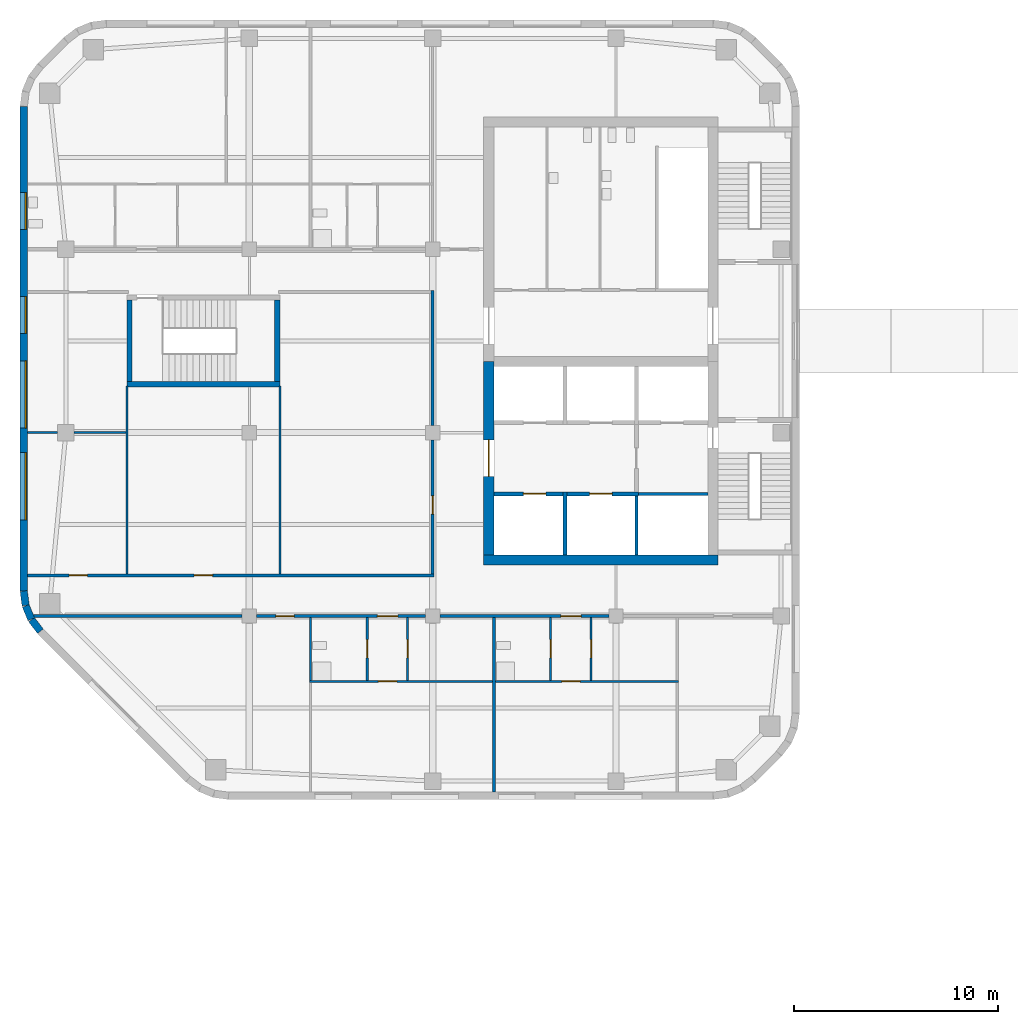
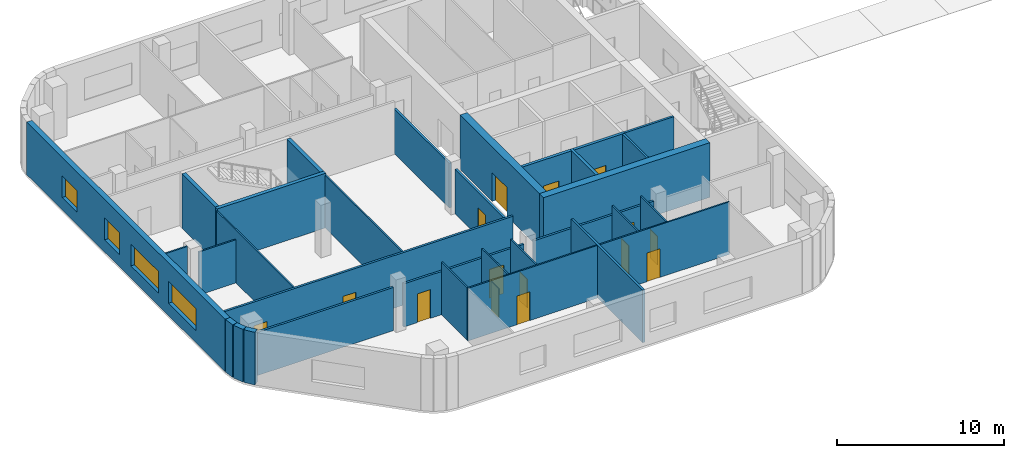
# One storey, part 5 of 15: 32 walls, 15 doors, 4 windows, 19 openings.
"""IFC4 building model written with IfcOpenShell, lengths in metres."""

from ifc_helpers import new_model, si_unit, direction, frame, frame_2d, origin, place, context, subcontext, project, spatial, rectangle, extrude, material, layer, layer_set, type_object, element, fill, save


model = new_model("IFC4")

# Units and contexts
model_context = context("Model", 3, precision=1e-05, world=origin(), true_north=direction((0.0, 1.0)))
body_context = subcontext(model_context, "Body", "Model", "MODEL_VIEW")
ifc_project = project(units=[si_unit("LENGTHUNIT", "METRE"), si_unit("AREAUNIT", "SQUARE_METRE"), si_unit("VOLUMEUNIT", "CUBIC_METRE"), si_unit("PLANEANGLEUNIT", "RADIAN"), si_unit("MASSUNIT", "GRAM", prefix="KILO")], contexts=[model_context])

# Site, building, storey
site_placement = place(None, origin())
site = spatial("IfcSite", under=ifc_project, at=site_placement, CompositionType="ELEMENT")
building_placement = place(site_placement, origin())
building = spatial("IfcBuilding", under=site, at=building_placement, Name="Cinnabar Reach Civic Tower", CompositionType="ELEMENT")
storey_placement = place(building_placement, frame((0.0, 0.0, 75.0)))
storey = spatial("IfcBuildingStorey", under=building, at=storey_placement, Name="L17", CompositionType="ELEMENT", Elevation=75.0)

# Walls
ifc_material_1 = material(Name="Facing brick with insulated backing", Category="masonry")
ifc_layer_1 = layer(ifc_material_1, 0.36)
ifc_layer_set_1 = layer_set([ifc_layer_1], Name="Brick corner wall")
wall_type_1 = type_object("IfcWallType", Name="Brick corner wall", PredefinedType="STANDARD", material=ifc_layer_set_1)
for number, where, z_axis, x_axis, name in (
    (1, (-65.067, 19.2314, 0.0), (0.0, 0.0, 1.0), (0.13055608231, -0.99144092581, 0.0), "Brick corner wall"),
    (2, (-64.9681, 18.5027, 0.0), (0.0, 0.0, 1.0), (0.382702709855, -0.923871547278, 0.0), "Brick corner wall"),
):
    element("IfcWall", number, at=place(storey_placement, frame(where, z_axis=z_axis, x_axis=x_axis)), inside=storey, type_object=wall_type_1, Name=name, PredefinedType="STANDARD", context=body_context, shape_type="SweptSolid", body=[
        extrude(rectangle(XDim=0.7131, YDim=0.36, at=frame_2d((0.3565, 0.0))), origin(), (0.0, 0.0, 1.0), 3.85),
    ])
wall_1_placement = place(storey_placement, frame((-64.684, 17.8245, 0.0), z_axis=(0.0, 0.0, 1.0), x_axis=(0.608802368033, -0.793321924995, 0.0)))
element("IfcWall", 3, at=wall_1_placement, inside=storey, type_object=wall_type_1, Name="Brick corner wall", PredefinedType="STANDARD", context=body_context, shape_type="SweptSolid", body=[
    extrude(rectangle(XDim=0.7132, YDim=0.36, at=frame_2d((0.3566, 0.0))), origin(), (0.0, 0.0, 1.0), 3.85),
])

# Wall, openings, windows
ifc_layer_2 = layer(ifc_material_1, 0.36)
ifc_layer_set_2 = layer_set([ifc_layer_2], Name="Brick pier and spandrel wall")
wall_type_2 = type_object("IfcWallType", Name="Brick pier and spandrel wall", PredefinedType="STANDARD", material=ifc_layer_set_2)
wall_2_placement = place(storey_placement, frame((-65.07, 43.0074, 0.0), z_axis=(0.0, 0.0, 1.0), x_axis=(0.0, -1.0, 0.0)))
wall_2 = element("IfcWall", 4, at=wall_2_placement, inside=storey, type_object=wall_type_2, Name="Brick facade wall", PredefinedType="STANDARD", context=body_context, shape_type="SweptSolid", body=[
    extrude(rectangle(XDim=23.7648, YDim=0.36, at=frame_2d((11.8824, 0.0))), origin(), (0.0, 0.0, 1.0), 3.85),
])
opening_1_placement = place(wall_2_placement, frame((4.2324, 0.0, 0.9)))
opening_1 = element("IfcOpeningElement", 5, at=opening_1_placement, cuts=wall_2, Name="Opening W2581", PredefinedType="OPENING", context=body_context, shape_type="SweptSolid", body=[
    extrude(rectangle(XDim=1.8, YDim=1.6, at=frame_2d((0.9, 0.8))), frame((0.0, 0.19, 0.0), z_axis=(0.0, -1.0, 0.0), x_axis=(1.0, 0.0, 0.0)), (0.0, 0.0, 1.0), 0.38),
])
opening_2_placement = place(wall_2_placement, frame((9.3324, 0.0, 0.9)))
opening_2 = element("IfcOpeningElement", 6, at=opening_2_placement, cuts=wall_2, Name="Opening W2582", PredefinedType="OPENING", context=body_context, shape_type="SweptSolid", body=[
    extrude(rectangle(XDim=1.8, YDim=1.6, at=frame_2d((0.9, 0.8))), frame((0.0, 0.19, 0.0), z_axis=(0.0, -1.0, 0.0), x_axis=(1.0, 0.0, 0.0)), (0.0, 0.0, 1.0), 0.38),
])
opening_3_placement = place(wall_2_placement, frame((12.4824, 0.0, 0.9)))
opening_3 = element("IfcOpeningElement", 7, at=opening_3_placement, cuts=wall_2, Name="Opening W2583", PredefinedType="OPENING", context=body_context, shape_type="SweptSolid", body=[
    extrude(rectangle(XDim=3.3, YDim=1.6, at=frame_2d((1.65, 0.8))), frame((0.0, 0.19, 0.0), z_axis=(0.0, -1.0, 0.0), x_axis=(1.0, 0.0, 0.0)), (0.0, 0.0, 1.0), 0.38),
])
opening_4_placement = place(wall_2_placement, frame((16.9824, 0.0, 0.9)))
opening_4 = element("IfcOpeningElement", 8, at=opening_4_placement, cuts=wall_2, Name="Opening W2584", PredefinedType="OPENING", context=body_context, shape_type="SweptSolid", body=[
    extrude(rectangle(XDim=3.3, YDim=1.6, at=frame_2d((1.65, 0.8))), frame((0.0, 0.19, 0.0), z_axis=(0.0, -1.0, 0.0), x_axis=(1.0, 0.0, 0.0)), (0.0, 0.0, 1.0), 0.38),
])
ifc_material_2 = material(Name="Clear double glazing in aluminium frame", Category="aluminium")
window_type_1 = type_object("IfcWindowType", Name="Deep-set window A", PartitioningType="SINGLE_PANEL", PredefinedType="WINDOW", material=ifc_material_2)
window_1_placement = place(opening_3_placement, origin())
window_1 = element("IfcWindow", 9, at=window_1_placement, inside=storey, type_object=window_type_1, Name="Window west face", OverallHeight=1.6, OverallWidth=3.3, PartitioningType="SINGLE_PANEL", PredefinedType="WINDOW", context=body_context, shape_type="SweptSolid", body=[
    extrude(rectangle(XDim=3.3, YDim=1.6, at=frame_2d((1.65, 0.8))), frame((0.0, 0.13, 0.0), z_axis=(0.0, -1.0, 0.0), x_axis=(1.0, 0.0, 0.0)), (0.0, 0.0, 1.0), 0.06),
])
fill(opening_3, window_1)
window_2_placement = place(opening_4_placement, origin())
window_2 = element("IfcWindow", 10, at=window_2_placement, inside=storey, type_object=window_type_1, Name="Window west face", OverallHeight=1.6, OverallWidth=3.3, PartitioningType="SINGLE_PANEL", PredefinedType="WINDOW", context=body_context, shape_type="SweptSolid", body=[
    extrude(rectangle(XDim=3.3, YDim=1.6, at=frame_2d((1.65, 0.8))), frame((0.0, 0.13, 0.0), z_axis=(0.0, -1.0, 0.0), x_axis=(1.0, 0.0, 0.0)), (0.0, 0.0, 1.0), 0.06),
])
fill(opening_4, window_2)
window_type_2 = type_object("IfcWindowType", Name="Deep-set window D", PartitioningType="SINGLE_PANEL", PredefinedType="WINDOW", material=ifc_material_2)
window_3_placement = place(opening_1_placement, origin())
window_3 = element("IfcWindow", 11, at=window_3_placement, inside=storey, type_object=window_type_2, Name="Window west face", OverallHeight=1.6, OverallWidth=1.8, PartitioningType="SINGLE_PANEL", PredefinedType="WINDOW", context=body_context, shape_type="SweptSolid", body=[
    extrude(rectangle(XDim=1.8, YDim=1.6, at=frame_2d((0.9, 0.8))), frame((0.0, 0.13, 0.0), z_axis=(0.0, -1.0, 0.0), x_axis=(1.0, 0.0, 0.0)), (0.0, 0.0, 1.0), 0.06),
])
fill(opening_1, window_3)
window_4_placement = place(opening_2_placement, origin())
window_4 = element("IfcWindow", 12, at=window_4_placement, inside=storey, type_object=window_type_2, Name="Window west face", OverallHeight=1.6, OverallWidth=1.8, PartitioningType="SINGLE_PANEL", PredefinedType="WINDOW", context=body_context, shape_type="SweptSolid", body=[
    extrude(rectangle(XDim=1.8, YDim=1.6, at=frame_2d((0.9, 0.8))), frame((0.0, 0.13, 0.0), z_axis=(0.0, -1.0, 0.0), x_axis=(1.0, 0.0, 0.0)), (0.0, 0.0, 1.0), 0.06),
])
fill(opening_2, window_4)

# Wall
ifc_material_3 = material(Name="Concrete C60", Category="concrete")
ifc_layer_3 = layer(ifc_material_3, 0.5)
ifc_layer_set_3 = layer_set([ifc_layer_3], Name="Core wall 500 EI 180")
wall_type_3 = type_object("IfcWallType", Name="Core wall 500 EI 180", PredefinedType="SOLIDWALL", material=ifc_layer_set_3)
wall_3_placement = place(storey_placement, frame((-42.5, 20.75, 0.0), z_axis=(0.0, 0.0, 1.0), x_axis=(1.0, 0.0, 0.0)))
element("IfcWall", 13, at=wall_3_placement, inside=storey, type_object=wall_type_3, Name="Core wall T2 L17 S", PredefinedType="SOLIDWALL", context=body_context, shape_type="SweptSolid", body=[
    extrude(rectangle(XDim=11.5, YDim=0.5, at=frame_2d((5.75, 0.0))), origin(), (0.0, 0.0, 1.0), 4.0),
])

# Wall, opening, door
wall_4_placement = place(storey_placement, frame((-42.25, 30.5, 0.0), z_axis=(0.0, 0.0, 1.0), x_axis=(0.0, -1.0, 0.0)))
wall_4 = element("IfcWall", 14, at=wall_4_placement, inside=storey, type_object=wall_type_3, Name="Core wall T2 L17 W2", PredefinedType="SOLIDWALL", context=body_context, shape_type="SweptSolid", body=[
    extrude(rectangle(XDim=9.5, YDim=0.5, at=frame_2d((4.75, 0.0))), origin(), (0.0, 0.0, 1.0), 4.0),
])
opening_5_placement = place(wall_4_placement, frame((3.85, 0.0, 0.0)))
opening_5 = element("IfcOpeningElement", 15, at=opening_5_placement, cuts=wall_4, Name="Opening D6636", PredefinedType="OPENING", context=body_context, shape_type="SweptSolid", body=[
    extrude(rectangle(XDim=1.8, YDim=2.1, at=frame_2d((0.9, 1.05))), frame((0.0, 0.26, 0.0), z_axis=(0.0, -1.0, 0.0), x_axis=(1.0, 0.0, 0.0)), (0.0, 0.0, 1.0), 0.52),
])
ifc_material_4 = material(Name="Steel fire door", Category="steel")
door_type_1 = type_object("IfcDoorType", Name="T2 Double door 1800", OperationType="DOUBLE_DOOR_SINGLE_SWING", PredefinedType="DOOR", material=ifc_material_4)
door_1_placement = place(opening_5_placement, origin())
door_1 = element("IfcDoor", 16, at=door_1_placement, inside=storey, type_object=door_type_1, Name="T2 Double door D6636", OperationType="DOUBLE_DOOR_SINGLE_SWING", OverallHeight=2.1, OverallWidth=1.8, PredefinedType="DOOR", context=body_context, shape_type="SweptSolid", body=[
    extrude(rectangle(XDim=1.8, YDim=2.1, at=frame_2d((0.9, 1.05))), frame((0.0, 0.025, 0.0), z_axis=(0.0, -1.0, 0.0), x_axis=(1.0, 0.0, 0.0)), (0.0, 0.0, 1.0), 0.05),
])
fill(opening_5, door_1)

ifc_material_5 = material(Name="Gypsum board on steel studs, double layer", Category="steel")
ifc_layer_4 = layer(ifc_material_5, 0.15)
ifc_layer_set_4 = layer_set([ifc_layer_4], Name="Corridor wall 150 T2")
wall_type_4 = type_object("IfcWallType", Name="Corridor wall 150 T2", PredefinedType="PARTITIONING", material=ifc_layer_set_4)
wall_5_placement = place(storey_placement, frame((-44.65, 18.0, 0.0), z_axis=(0.0, 0.0, 1.0), x_axis=(1.0, 0.0, 0.0)))
wall_5 = element("IfcWall", 17, at=wall_5_placement, inside=storey, type_object=wall_type_4, Name="Corridor wall 2", PredefinedType="PARTITIONING", context=body_context, shape_type="SweptSolid", body=[
    extrude(rectangle(XDim=8.3, YDim=0.15, at=frame_2d((4.15, 0.0))), origin(), (0.0, 0.0, 1.0), 3.158),
])
opening_6_placement = place(wall_5_placement, frame((5.94, 0.0, 0.0)))
opening_6 = element("IfcOpeningElement", 18, at=opening_6_placement, cuts=wall_5, Name="Opening D6650", PredefinedType="OPENING", context=body_context, shape_type="SweptSolid", body=[
    extrude(rectangle(XDim=1.0, YDim=2.1, at=frame_2d((0.5, 1.05))), frame((0.0, 0.085, 0.0), z_axis=(0.0, -1.0, 0.0), x_axis=(1.0, 0.0, 0.0)), (0.0, 0.0, 1.0), 0.17),
])
ifc_material_6 = material(Name="Timber door leaf in steel frame", Category="steel")
door_type_2 = type_object("IfcDoorType", Name="Tenancy entrance door 1000 x 2100 T2", OperationType="SINGLE_SWING_LEFT", PredefinedType="DOOR", material=ifc_material_6)
door_2_placement = place(opening_6_placement, frame((1.0, 0.0, 0.0), z_axis=(0.0, 0.0, 1.0), x_axis=(-1.0, 0.0, 0.0)))
door_2 = element("IfcDoor", 19, at=door_2_placement, inside=storey, type_object=door_type_2, Name="Door D6650", OperationType="SINGLE_SWING_LEFT", OverallHeight=2.1, OverallWidth=1.0, PredefinedType="DOOR", context=body_context, shape_type="SweptSolid", body=[
    extrude(rectangle(XDim=1.0, YDim=2.1, at=frame_2d((0.5, 1.05))), frame((0.0, 0.025, 0.0), z_axis=(0.0, -1.0, 0.0), x_axis=(1.0, 0.0, 0.0)), (0.0, 0.0, 1.0), 0.05),
])
fill(opening_6, door_2)

# Wall, openings, doors
wall_6_placement = place(storey_placement, frame((-53.65, 18.0, 0.0), z_axis=(0.0, 0.0, 1.0), x_axis=(1.0, 0.0, 0.0)))
wall_6 = element("IfcWall", 20, at=wall_6_placement, inside=storey, type_object=wall_type_4, Name="Corridor wall 3", PredefinedType="PARTITIONING", context=body_context, shape_type="SweptSolid", body=[
    extrude(rectangle(XDim=8.3, YDim=0.15, at=frame_2d((4.15, 0.0))), origin(), (0.0, 0.0, 1.0), 3.158),
])
opening_7_placement = place(wall_6_placement, frame((0.95, 0.0, 0.0)))
opening_7 = element("IfcOpeningElement", 21, at=opening_7_placement, cuts=wall_6, Name="Opening D6642", PredefinedType="OPENING", context=body_context, shape_type="SweptSolid", body=[
    extrude(rectangle(XDim=0.9, YDim=2.1, at=frame_2d((0.45, 1.05))), frame((0.0, 0.085, 0.0), z_axis=(0.0, -1.0, 0.0), x_axis=(1.0, 0.0, 0.0)), (0.0, 0.0, 1.0), 0.17),
])
opening_8_placement = place(wall_6_placement, frame((5.94, 0.0, 0.0)))
opening_8 = element("IfcOpeningElement", 22, at=opening_8_placement, cuts=wall_6, Name="Opening D6646", PredefinedType="OPENING", context=body_context, shape_type="SweptSolid", body=[
    extrude(rectangle(XDim=1.0, YDim=2.1, at=frame_2d((0.5, 1.05))), frame((0.0, 0.085, 0.0), z_axis=(0.0, -1.0, 0.0), x_axis=(1.0, 0.0, 0.0)), (0.0, 0.0, 1.0), 0.17),
])
door_type_3 = type_object("IfcDoorType", Name="Single swing door 900 x 2100 T2", OperationType="SINGLE_SWING_LEFT", PredefinedType="DOOR", material=ifc_material_6)
door_3_placement = place(opening_7_placement, frame((0.9, 0.0, 0.0), z_axis=(0.0, 0.0, 1.0), x_axis=(-1.0, 0.0, 0.0)))
door_3 = element("IfcDoor", 23, at=door_3_placement, inside=storey, type_object=door_type_3, Name="Door D6642", OperationType="SINGLE_SWING_LEFT", OverallHeight=2.1, OverallWidth=0.9, PredefinedType="DOOR", context=body_context, shape_type="SweptSolid", body=[
    extrude(rectangle(XDim=0.9, YDim=2.1, at=frame_2d((0.45, 1.05))), frame((0.0, 0.025, 0.0), z_axis=(0.0, -1.0, 0.0), x_axis=(1.0, 0.0, 0.0)), (0.0, 0.0, 1.0), 0.05),
])
fill(opening_7, door_3)
door_4_placement = place(opening_8_placement, frame((1.0, 0.0, 0.0), z_axis=(0.0, 0.0, 1.0), x_axis=(-1.0, 0.0, 0.0)))
door_4 = element("IfcDoor", 24, at=door_4_placement, inside=storey, type_object=door_type_2, Name="Door D6646", OperationType="SINGLE_SWING_RIGHT", OverallHeight=2.1, OverallWidth=1.0, PredefinedType="DOOR", context=body_context, shape_type="SweptSolid", body=[
    extrude(rectangle(XDim=1.0, YDim=2.1, at=frame_2d((0.5, 1.05))), frame((0.0, 0.025, 0.0), z_axis=(0.0, -1.0, 0.0), x_axis=(1.0, 0.0, 0.0)), (0.0, 0.0, 1.0), 0.05),
])
fill(opening_8, door_4)

# Wall
wall_7_placement = place(storey_placement, frame((-64.5961, 18.0, 0.0), z_axis=(0.0, 0.0, 1.0), x_axis=(1.0, 0.0, 0.0)))
element("IfcWall", 25, at=wall_7_placement, inside=storey, type_object=wall_type_4, Name="Corridor wall 4", PredefinedType="PARTITIONING", context=body_context, shape_type="SweptSolid", body=[
    extrude(rectangle(XDim=10.2461, YDim=0.15, at=frame_2d((5.1231, 0.0))), origin(), (0.0, 0.0, 1.0), 3.158),
])

# Wall, openings, doors
wall_8_placement = place(storey_placement, frame((-64.89, 20.0, 0.0), z_axis=(0.0, 0.0, 1.0), x_axis=(1.0, 0.0, 0.0)))
wall_8 = element("IfcWall", 26, at=wall_8_placement, inside=storey, type_object=wall_type_4, Name="Corridor wall 9", PredefinedType="PARTITIONING", context=body_context, shape_type="SweptSolid", body=[
    extrude(rectangle(XDim=19.965, YDim=0.15, at=frame_2d((9.9825, 0.0))), origin(), (0.0, 0.0, 1.0), 3.85),
])
opening_9_placement = place(wall_8_placement, frame((2.05, 0.0, 0.0)))
opening_9 = element("IfcOpeningElement", 27, at=opening_9_placement, cuts=wall_8, Name="Opening D6661", PredefinedType="OPENING", context=body_context, shape_type="SweptSolid", body=[
    extrude(rectangle(XDim=0.9, YDim=2.1, at=frame_2d((0.45, 1.05))), frame((0.0, 0.085, 0.0), z_axis=(0.0, -1.0, 0.0), x_axis=(1.0, 0.0, 0.0)), (0.0, 0.0, 1.0), 0.17),
])
opening_10_placement = place(wall_8_placement, frame((8.19, 0.0, 0.0)))
opening_10 = element("IfcOpeningElement", 28, at=opening_10_placement, cuts=wall_8, Name="Opening D6663", PredefinedType="OPENING", context=body_context, shape_type="SweptSolid", body=[
    extrude(rectangle(XDim=0.9, YDim=2.1, at=frame_2d((0.45, 1.05))), frame((0.0, 0.085, 0.0), z_axis=(0.0, -1.0, 0.0), x_axis=(1.0, 0.0, 0.0)), (0.0, 0.0, 1.0), 0.17),
])
door_5_placement = place(opening_9_placement, origin())
door_5 = element("IfcDoor", 29, at=door_5_placement, inside=storey, type_object=door_type_3, Name="Door D6661", OperationType="SINGLE_SWING_RIGHT", OverallHeight=2.1, OverallWidth=0.9, PredefinedType="DOOR", context=body_context, shape_type="SweptSolid", body=[
    extrude(rectangle(XDim=0.9, YDim=2.1, at=frame_2d((0.45, 1.05))), frame((0.0, 0.025, 0.0), z_axis=(0.0, -1.0, 0.0), x_axis=(1.0, 0.0, 0.0)), (0.0, 0.0, 1.0), 0.05),
])
fill(opening_9, door_5)
door_6_placement = place(opening_10_placement, origin())
door_6 = element("IfcDoor", 30, at=door_6_placement, inside=storey, type_object=door_type_3, Name="Door D6663", OperationType="SINGLE_SWING_LEFT", OverallHeight=2.1, OverallWidth=0.9, PredefinedType="DOOR", context=body_context, shape_type="SweptSolid", body=[
    extrude(rectangle(XDim=0.9, YDim=2.1, at=frame_2d((0.45, 1.05))), frame((0.0, 0.025, 0.0), z_axis=(0.0, -1.0, 0.0), x_axis=(1.0, 0.0, 0.0)), (0.0, 0.0, 1.0), 0.05),
])
fill(opening_10, door_6)

# Wall, opening, door
wall_9_placement = place(storey_placement, frame((-45.0, 20.075, 0.0), z_axis=(0.0, 0.0, 1.0), x_axis=(0.0, 1.0, 0.0)))
wall_9 = element("IfcWall", 31, at=wall_9_placement, inside=storey, type_object=wall_type_4, Name="Corridor wall 10", PredefinedType="PARTITIONING", context=body_context, shape_type="SweptSolid", body=[
    extrude(rectangle(XDim=6.575, YDim=0.15, at=frame_2d((3.2875, 0.0))), origin(), (0.0, 0.0, 1.0), 3.256),
])
opening_11_placement = place(wall_9_placement, frame((2.925, 0.0, 0.0)))
opening_11 = element("IfcOpeningElement", 32, at=opening_11_placement, cuts=wall_9, Name="Opening D6664", PredefinedType="OPENING", context=body_context, shape_type="SweptSolid", body=[
    extrude(rectangle(XDim=0.9, YDim=2.1, at=frame_2d((0.45, 1.05))), frame((0.0, 0.085, 0.0), z_axis=(0.0, -1.0, 0.0), x_axis=(1.0, 0.0, 0.0)), (0.0, 0.0, 1.0), 0.17),
])
door_7_placement = place(opening_11_placement, origin())
door_7 = element("IfcDoor", 33, at=door_7_placement, inside=storey, type_object=door_type_3, Name="Door D6664", OperationType="SINGLE_SWING_LEFT", OverallHeight=2.1, OverallWidth=0.9, PredefinedType="DOOR", context=body_context, shape_type="SweptSolid", body=[
    extrude(rectangle(XDim=0.9, YDim=2.1, at=frame_2d((0.45, 1.05))), frame((0.0, 0.025, 0.0), z_axis=(0.0, -1.0, 0.0), x_axis=(1.0, 0.0, 0.0)), (0.0, 0.0, 1.0), 0.05),
])
fill(opening_11, door_7)

# Wall
wall_10_placement = place(storey_placement, frame((-45.0, 27.35, 0.0), z_axis=(0.0, 0.0, 1.0), x_axis=(0.0, 1.0, 0.0)))
element("IfcWall", 34, at=wall_10_placement, inside=storey, type_object=wall_type_4, Name="Corridor wall 11", PredefinedType="PARTITIONING", context=body_context, shape_type="SweptSolid", body=[
    extrude(rectangle(XDim=6.625, YDim=0.15, at=frame_2d((3.3125, 0.0))), origin(), (0.0, 0.0, 1.0), 3.256),
])

# Wall, opening, door
ifc_material_7 = material(Name="Gypsum board on steel studs", Category="steel")
ifc_layer_5 = layer(ifc_material_7, 0.1)
ifc_layer_set_5 = layer_set([ifc_layer_5], Name="Partition wall 100 T2")
wall_type_5 = type_object("IfcWallType", Name="Partition wall 100 T2", PredefinedType="PARTITIONING", material=ifc_layer_set_5)
wall_11_placement = place(storey_placement, frame((-51.05, 14.8, 0.0), z_axis=(0.0, 0.0, 1.0), x_axis=(1.0, 0.0, 0.0)))
wall_11 = element("IfcWall", 35, at=wall_11_placement, inside=storey, type_object=wall_type_5, Name="Partition wall 18", PredefinedType="PARTITIONING", context=body_context, shape_type="SweptSolid", body=[
    extrude(rectangle(XDim=8.975, YDim=0.1, at=frame_2d((4.4875, 0.0))), origin(), (0.0, 0.0, 1.0), 3.85),
])
opening_12_placement = place(wall_11_placement, frame((3.39, 0.0, 0.0)))
opening_12 = element("IfcOpeningElement", 36, at=opening_12_placement, cuts=wall_11, Name="Opening D6645", PredefinedType="OPENING", context=body_context, shape_type="SweptSolid", body=[
    extrude(rectangle(XDim=0.9, YDim=2.1, at=frame_2d((0.45, 1.05))), frame((0.0, 0.06, 0.0), z_axis=(0.0, -1.0, 0.0), x_axis=(1.0, 0.0, 0.0)), (0.0, 0.0, 1.0), 0.12),
])
door_8_placement = place(opening_12_placement, origin())
door_8 = element("IfcDoor", 37, at=door_8_placement, inside=storey, type_object=door_type_3, Name="Door D6645", OperationType="SINGLE_SWING_RIGHT", OverallHeight=2.1, OverallWidth=0.9, PredefinedType="DOOR", context=body_context, shape_type="SweptSolid", body=[
    extrude(rectangle(XDim=0.9, YDim=2.1, at=frame_2d((0.45, 1.05))), frame((0.0, 0.025, 0.0), z_axis=(0.0, -1.0, 0.0), x_axis=(1.0, 0.0, 0.0)), (0.0, 0.0, 1.0), 0.05),
])
fill(opening_12, door_8)

wall_12_placement = place(storey_placement, frame((-41.925, 14.8, 0.0), z_axis=(0.0, 0.0, 1.0), x_axis=(1.0, 0.0, 0.0)))
wall_12 = element("IfcWall", 38, at=wall_12_placement, inside=storey, type_object=wall_type_5, Name="Partition wall 19", PredefinedType="PARTITIONING", context=body_context, shape_type="SweptSolid", body=[
    extrude(rectangle(XDim=8.975, YDim=0.1, at=frame_2d((4.4875, 0.0))), origin(), (0.0, 0.0, 1.0), 3.85),
])
opening_13_placement = place(wall_12_placement, frame((3.265, 0.0, 0.0)))
opening_13 = element("IfcOpeningElement", 39, at=opening_13_placement, cuts=wall_12, Name="Opening D6649", PredefinedType="OPENING", context=body_context, shape_type="SweptSolid", body=[
    extrude(rectangle(XDim=0.9, YDim=2.1, at=frame_2d((0.45, 1.05))), frame((0.0, 0.06, 0.0), z_axis=(0.0, -1.0, 0.0), x_axis=(1.0, 0.0, 0.0)), (0.0, 0.0, 1.0), 0.12),
])
door_9_placement = place(opening_13_placement, origin())
door_9 = element("IfcDoor", 40, at=door_9_placement, inside=storey, type_object=door_type_3, Name="Door D6649", OperationType="SINGLE_SWING_RIGHT", OverallHeight=2.1, OverallWidth=0.9, PredefinedType="DOOR", context=body_context, shape_type="SweptSolid", body=[
    extrude(rectangle(XDim=0.9, YDim=2.1, at=frame_2d((0.45, 1.05))), frame((0.0, 0.025, 0.0), z_axis=(0.0, -1.0, 0.0), x_axis=(1.0, 0.0, 0.0)), (0.0, 0.0, 1.0), 0.05),
])
fill(opening_13, door_9)

# Walls
for number, where, z_axis, x_axis, name in (
    (41, (-60.0, 20.075, 0.0), (0.0, 0.0, 1.0), (0.0, 1.0, 0.0), "Partition wall 22"),
    (42, (-52.5, 20.075, 0.0), (0.0, 0.0, 1.0), (0.0, 1.0, 0.0), "Partition wall 23"),
):
    element("IfcWall", number, at=place(storey_placement, frame(where, z_axis=z_axis, x_axis=x_axis)), inside=storey, type_object=wall_type_5, Name=name, PredefinedType="PARTITIONING", context=body_context, shape_type="SweptSolid", body=[
        extrude(rectangle(XDim=9.225, YDim=0.1, at=frame_2d((4.6125, 0.0))), origin(), (0.0, 0.0, 1.0), 3.85),
    ])
wall_13_placement = place(storey_placement, frame((-51.0, 14.85, 0.0), z_axis=(0.0, 0.0, 1.0), x_axis=(0.0, 1.0, 0.0)))
element("IfcWall", 43, at=wall_13_placement, inside=storey, type_object=wall_type_5, Name="Partition wall 24", PredefinedType="PARTITIONING", context=body_context, shape_type="SweptSolid", body=[
    extrude(rectangle(XDim=3.075, YDim=0.1, at=frame_2d((1.5375, 0.0))), origin(), (0.0, 0.0, 1.0), 3.85),
])
wall_14_placement = place(storey_placement, frame((-62.6, 27.0, 0.0), z_axis=(0.0, 0.0, 1.0), x_axis=(1.0, 0.0, 0.0)))
element("IfcWall", 44, at=wall_14_placement, inside=storey, type_object=wall_type_5, Name="Partition wall 29", PredefinedType="PARTITIONING", context=body_context, shape_type="SweptSolid", body=[
    extrude(rectangle(XDim=2.55, YDim=0.1, at=frame_2d((1.275, 0.0))), origin(), (0.0, 0.0, 1.0), 3.158),
])
wall_15_placement = place(storey_placement, frame((-64.89, 27.0, 0.0), z_axis=(0.0, 0.0, 1.0), x_axis=(1.0, 0.0, 0.0)))
element("IfcWall", 45, at=wall_15_placement, inside=storey, type_object=wall_type_5, Name="Partition wall 30", PredefinedType="PARTITIONING", context=body_context, shape_type="SweptSolid", body=[
    extrude(rectangle(XDim=1.49, YDim=0.1, at=frame_2d((0.745, 0.0))), origin(), (0.0, 0.0, 1.0), 3.85),
])

# Wall, opening, door
wall_16_placement = place(storey_placement, frame((-48.21, 14.85, 0.0), z_axis=(0.0, 0.0, 1.0), x_axis=(0.0, 1.0, 0.0)))
wall_16 = element("IfcWall", 46, at=wall_16_placement, inside=storey, type_object=wall_type_5, Name="Partition wall 35", PredefinedType="PARTITIONING", context=body_context, shape_type="SweptSolid", body=[
    extrude(rectangle(XDim=3.075, YDim=0.1, at=frame_2d((1.5375, 0.0))), origin(), (0.0, 0.0, 1.0), 3.85),
])
opening_14_placement = place(wall_16_placement, frame((1.1, 0.0, 0.0)))
opening_14 = element("IfcOpeningElement", 47, at=opening_14_placement, cuts=wall_16, Name="Opening D6643", PredefinedType="OPENING", context=body_context, shape_type="SweptSolid", body=[
    extrude(rectangle(XDim=0.9, YDim=2.1, at=frame_2d((0.45, 1.05))), frame((0.0, 0.06, 0.0), z_axis=(0.0, -1.0, 0.0), x_axis=(1.0, 0.0, 0.0)), (0.0, 0.0, 1.0), 0.12),
])
door_10_placement = place(opening_14_placement, origin())
door_10 = element("IfcDoor", 48, at=door_10_placement, inside=storey, type_object=door_type_3, Name="Door D6643", OperationType="SINGLE_SWING_RIGHT", OverallHeight=2.1, OverallWidth=0.9, PredefinedType="DOOR", context=body_context, shape_type="SweptSolid", body=[
    extrude(rectangle(XDim=0.9, YDim=2.1, at=frame_2d((0.45, 1.05))), frame((0.0, 0.025, 0.0), z_axis=(0.0, -1.0, 0.0), x_axis=(1.0, 0.0, 0.0)), (0.0, 0.0, 1.0), 0.05),
])
fill(opening_14, door_10)

wall_17_placement = place(storey_placement, frame((-46.23, 14.85, 0.0), z_axis=(0.0, 0.0, 1.0), x_axis=(0.0, 1.0, 0.0)))
wall_17 = element("IfcWall", 49, at=wall_17_placement, inside=storey, type_object=wall_type_5, Name="Partition wall 36", PredefinedType="PARTITIONING", context=body_context, shape_type="SweptSolid", body=[
    extrude(rectangle(XDim=3.075, YDim=0.1, at=frame_2d((1.5375, 0.0))), origin(), (0.0, 0.0, 1.0), 3.85),
])
opening_15_placement = place(wall_17_placement, frame((1.1, 0.0, 0.0)))
opening_15 = element("IfcOpeningElement", 50, at=opening_15_placement, cuts=wall_17, Name="Opening D6644", PredefinedType="OPENING", context=body_context, shape_type="SweptSolid", body=[
    extrude(rectangle(XDim=0.9, YDim=2.1, at=frame_2d((0.45, 1.05))), frame((0.0, 0.06, 0.0), z_axis=(0.0, -1.0, 0.0), x_axis=(1.0, 0.0, 0.0)), (0.0, 0.0, 1.0), 0.12),
])
door_11_placement = place(opening_15_placement, origin())
door_11 = element("IfcDoor", 51, at=door_11_placement, inside=storey, type_object=door_type_3, Name="Door D6644", OperationType="SINGLE_SWING_LEFT", OverallHeight=2.1, OverallWidth=0.9, PredefinedType="DOOR", context=body_context, shape_type="SweptSolid", body=[
    extrude(rectangle(XDim=0.9, YDim=2.1, at=frame_2d((0.45, 1.05))), frame((0.0, 0.025, 0.0), z_axis=(0.0, -1.0, 0.0), x_axis=(1.0, 0.0, 0.0)), (0.0, 0.0, 1.0), 0.05),
])
fill(opening_15, door_11)

wall_18_placement = place(storey_placement, frame((-39.21, 14.85, 0.0), z_axis=(0.0, 0.0, 1.0), x_axis=(0.0, 1.0, 0.0)))
wall_18 = element("IfcWall", 52, at=wall_18_placement, inside=storey, type_object=wall_type_5, Name="Partition wall 37", PredefinedType="PARTITIONING", context=body_context, shape_type="SweptSolid", body=[
    extrude(rectangle(XDim=3.075, YDim=0.1, at=frame_2d((1.5375, 0.0))), origin(), (0.0, 0.0, 1.0), 3.85),
])
opening_16_placement = place(wall_18_placement, frame((1.1, 0.0, 0.0)))
opening_16 = element("IfcOpeningElement", 53, at=opening_16_placement, cuts=wall_18, Name="Opening D6647", PredefinedType="OPENING", context=body_context, shape_type="SweptSolid", body=[
    extrude(rectangle(XDim=0.9, YDim=2.1, at=frame_2d((0.45, 1.05))), frame((0.0, 0.06, 0.0), z_axis=(0.0, -1.0, 0.0), x_axis=(1.0, 0.0, 0.0)), (0.0, 0.0, 1.0), 0.12),
])
door_12_placement = place(opening_16_placement, origin())
door_12 = element("IfcDoor", 54, at=door_12_placement, inside=storey, type_object=door_type_3, Name="Door D6647", OperationType="SINGLE_SWING_LEFT", OverallHeight=2.1, OverallWidth=0.9, PredefinedType="DOOR", context=body_context, shape_type="SweptSolid", body=[
    extrude(rectangle(XDim=0.9, YDim=2.1, at=frame_2d((0.45, 1.05))), frame((0.0, 0.025, 0.0), z_axis=(0.0, -1.0, 0.0), x_axis=(1.0, 0.0, 0.0)), (0.0, 0.0, 1.0), 0.05),
])
fill(opening_16, door_12)

wall_19_placement = place(storey_placement, frame((-37.23, 14.85, 0.0), z_axis=(0.0, 0.0, 1.0), x_axis=(0.0, 1.0, 0.0)))
wall_19 = element("IfcWall", 55, at=wall_19_placement, inside=storey, type_object=wall_type_5, Name="Partition wall 38", PredefinedType="PARTITIONING", context=body_context, shape_type="SweptSolid", body=[
    extrude(rectangle(XDim=3.075, YDim=0.1, at=frame_2d((1.5375, 0.0))), origin(), (0.0, 0.0, 1.0), 3.85),
])
opening_17_placement = place(wall_19_placement, frame((1.1, 0.0, 0.0)))
opening_17 = element("IfcOpeningElement", 56, at=opening_17_placement, cuts=wall_19, Name="Opening D6648", PredefinedType="OPENING", context=body_context, shape_type="SweptSolid", body=[
    extrude(rectangle(XDim=0.9, YDim=2.1, at=frame_2d((0.45, 1.05))), frame((0.0, 0.06, 0.0), z_axis=(0.0, -1.0, 0.0), x_axis=(1.0, 0.0, 0.0)), (0.0, 0.0, 1.0), 0.12),
])
door_13_placement = place(opening_17_placement, origin())
door_13 = element("IfcDoor", 57, at=door_13_placement, inside=storey, type_object=door_type_3, Name="Door D6648", OperationType="SINGLE_SWING_LEFT", OverallHeight=2.1, OverallWidth=0.9, PredefinedType="DOOR", context=body_context, shape_type="SweptSolid", body=[
    extrude(rectangle(XDim=0.9, YDim=2.1, at=frame_2d((0.45, 1.05))), frame((0.0, 0.025, 0.0), z_axis=(0.0, -1.0, 0.0), x_axis=(1.0, 0.0, 0.0)), (0.0, 0.0, 1.0), 0.05),
])
fill(opening_17, door_13)

# Walls
ifc_layer_6 = layer(ifc_material_3, 0.25)
ifc_layer_set_6 = layer_set([ifc_layer_6], Name="Stair shaft wall 250 EI 120")
wall_type_6 = type_object("IfcWallType", Name="Stair shaft wall 250 EI 120", PredefinedType="SOLIDWALL", material=ifc_layer_set_6)
wall_20_placement = place(storey_placement, frame((-60.0, 29.375, 0.0), z_axis=(0.0, 0.0, 1.0), x_axis=(1.0, 0.0, 0.0)))
element("IfcWall", 58, at=wall_20_placement, inside=storey, type_object=wall_type_6, Name="Stair shaft wall T2-S3 L17", PredefinedType="SOLIDWALL", context=body_context, shape_type="SweptSolid", body=[
    extrude(rectangle(XDim=7.5, YDim=0.25, at=frame_2d((3.75, 0.0))), origin(), (0.0, 0.0, 1.0), 4.0),
])
for number, where, z_axis, x_axis, name in (
    (59, (-52.625, 29.5, 0.0), (0.0, 0.0, 1.0), (0.0, 1.0, 0.0), "Stair shaft wall T2-S3 L17"),
    (60, (-59.875, 33.5, 0.0), (0.0, 0.0, 1.0), (0.0, -1.0, 0.0), "Stair shaft wall T2-S3 L17"),
):
    element("IfcWall", number, at=place(storey_placement, frame(where, z_axis=z_axis, x_axis=x_axis)), inside=storey, type_object=wall_type_6, Name=name, PredefinedType="SOLIDWALL", context=body_context, shape_type="SweptSolid", body=[
        extrude(rectangle(XDim=4.0, YDim=0.25, at=frame_2d((2.0, 0.0))), origin(), (0.0, 0.0, 1.0), 4.0),
    ])
ifc_material_8 = material(Name="Concrete C40", Category="concrete")
ifc_layer_7 = layer(ifc_material_8, 0.15)
ifc_layer_set_7 = layer_set([ifc_layer_7], Name="T2 Riser wall 150")
wall_type_7 = type_object("IfcWallType", Name="T2 Riser wall 150", PredefinedType="SOLIDWALL", material=ifc_layer_set_7)
wall_21_placement = place(storey_placement, frame((-35.0, 21.0, 0.0), z_axis=(0.0, 0.0, 1.0), x_axis=(0.0, 1.0, 0.0)))
element("IfcWall", 61, at=wall_21_placement, inside=storey, type_object=wall_type_7, Name="T2 Riser wall L17 010", PredefinedType="SOLIDWALL", context=body_context, shape_type="SweptSolid", body=[
    extrude(rectangle(XDim=2.9, YDim=0.15, at=frame_2d((1.45, 0.0))), origin(), (0.0, 0.0, 1.0), 4.0),
])
wall_22_placement = place(storey_placement, frame((-31.5, 24.0, 0.0), z_axis=(0.0, 0.0, 1.0), x_axis=(-1.0, 0.0, 0.0)))
element("IfcWall", 62, at=wall_22_placement, inside=storey, type_object=wall_type_7, Name="T2 Riser wall L17 011", PredefinedType="SOLIDWALL", context=body_context, shape_type="SweptSolid", body=[
    extrude(rectangle(XDim=3.4, YDim=0.15, at=frame_2d((1.7, 0.0))), origin(), (0.0, 0.0, 1.0), 4.0),
])
ifc_layer_8 = layer(ifc_material_8, 0.2)
ifc_layer_set_8 = layer_set([ifc_layer_8], Name="T2 Shaft wall 200")
wall_type_8 = type_object("IfcWallType", Name="T2 Shaft wall 200", PredefinedType="SOLIDWALL", material=ifc_layer_set_8)
wall_23_placement = place(storey_placement, frame((-38.5, 21.0, 0.0), z_axis=(0.0, 0.0, 1.0), x_axis=(0.0, 1.0, 0.0)))
element("IfcWall", 63, at=wall_23_placement, inside=storey, type_object=wall_type_8, Name="T2 Shaft wall L17 001", PredefinedType="SOLIDWALL", context=body_context, shape_type="SweptSolid", body=[
    extrude(rectangle(XDim=3.1, YDim=0.2, at=frame_2d((1.55, 0.0))), origin(), (0.0, 0.0, 1.0), 4.0),
])

# Wall, opening, door
wall_24_placement = place(storey_placement, frame((-38.6, 24.0, 0.0), z_axis=(0.0, 0.0, 1.0), x_axis=(-1.0, 0.0, 0.0)))
wall_24 = element("IfcWall", 64, at=wall_24_placement, inside=storey, type_object=wall_type_8, Name="T2 Shaft wall L17 002", PredefinedType="SOLIDWALL", context=body_context, shape_type="SweptSolid", body=[
    extrude(rectangle(XDim=3.4, YDim=0.2, at=frame_2d((1.7, 0.0))), origin(), (0.0, 0.0, 1.0), 4.0),
])
opening_18_placement = place(wall_24_placement, frame((0.85, 0.0, 0.0)))
opening_18 = element("IfcOpeningElement", 65, at=opening_18_placement, cuts=wall_24, Name="Opening D6626", PredefinedType="OPENING", context=body_context, shape_type="SweptSolid", body=[
    extrude(rectangle(XDim=1.1, YDim=2.1, at=frame_2d((0.55, 1.05))), frame((0.0, 0.11, 0.0), z_axis=(0.0, -1.0, 0.0), x_axis=(1.0, 0.0, 0.0)), (0.0, 0.0, 1.0), 0.22),
])
door_type_4 = type_object("IfcDoorType", Name="T2 Lift landing door 1100", OperationType="SLIDING_TO_LEFT", PredefinedType="DOOR", material=ifc_material_4)
door_14_placement = place(opening_18_placement, origin())
door_14 = element("IfcDoor", 66, at=door_14_placement, inside=storey, type_object=door_type_4, Name="T2 Lift landing door D6626", OperationType="SLIDING_TO_LEFT", OverallHeight=2.1, OverallWidth=1.1, PredefinedType="DOOR", context=body_context, shape_type="SweptSolid", body=[
    extrude(rectangle(XDim=1.1, YDim=2.1, at=frame_2d((0.55, 1.05))), frame((0.0, 0.025, 0.0), z_axis=(0.0, -1.0, 0.0), x_axis=(1.0, 0.0, 0.0)), (0.0, 0.0, 1.0), 0.05),
])
fill(opening_18, door_14)

wall_25_placement = place(storey_placement, frame((-34.9, 24.0, 0.0), z_axis=(0.0, 0.0, 1.0), x_axis=(-1.0, 0.0, 0.0)))
wall_25 = element("IfcWall", 67, at=wall_25_placement, inside=storey, type_object=wall_type_8, Name="T2 Shaft wall L17 003", PredefinedType="SOLIDWALL", context=body_context, shape_type="SweptSolid", body=[
    extrude(rectangle(XDim=3.5, YDim=0.2, at=frame_2d((1.75, 0.0))), origin(), (0.0, 0.0, 1.0), 4.0),
])
opening_19_placement = place(wall_25_placement, frame((1.3, 0.0, 0.0)))
opening_19 = element("IfcOpeningElement", 68, at=opening_19_placement, cuts=wall_25, Name="Opening D6627", PredefinedType="OPENING", context=body_context, shape_type="SweptSolid", body=[
    extrude(rectangle(XDim=1.1, YDim=2.1, at=frame_2d((0.55, 1.05))), frame((0.0, 0.11, 0.0), z_axis=(0.0, -1.0, 0.0), x_axis=(1.0, 0.0, 0.0)), (0.0, 0.0, 1.0), 0.22),
])
door_15_placement = place(opening_19_placement, origin())
door_15 = element("IfcDoor", 69, at=door_15_placement, inside=storey, type_object=door_type_4, Name="T2 Lift landing door D6627", OperationType="SLIDING_TO_LEFT", OverallHeight=2.1, OverallWidth=1.1, PredefinedType="DOOR", context=body_context, shape_type="SweptSolid", body=[
    extrude(rectangle(XDim=1.1, YDim=2.1, at=frame_2d((0.55, 1.05))), frame((0.0, 0.025, 0.0), z_axis=(0.0, -1.0, 0.0), x_axis=(1.0, 0.0, 0.0)), (0.0, 0.0, 1.0), 0.05),
])
fill(opening_19, door_15)

# Wall
ifc_layer_9 = layer(ifc_material_5, 0.15)
ifc_layer_set_9 = layer_set([ifc_layer_9], Name="Tenancy separating wall 150 T2")
wall_type_9 = type_object("IfcWallType", Name="Tenancy separating wall 150 T2", PredefinedType="PARTITIONING", material=ifc_layer_set_9)
wall_26_placement = place(storey_placement, frame((-42.0, 9.36, 0.0), z_axis=(0.0, 0.0, 1.0), x_axis=(0.0, 1.0, 0.0)))
element("IfcWall", 70, at=wall_26_placement, inside=storey, type_object=wall_type_9, Name="Tenancy separating wall 15", PredefinedType="PARTITIONING", context=body_context, shape_type="SweptSolid", body=[
    extrude(rectangle(XDim=8.565, YDim=0.15, at=frame_2d((4.2825, 0.0))), origin(), (0.0, 0.0, 1.0), 3.85),
])

save(model, "model.ifc")
